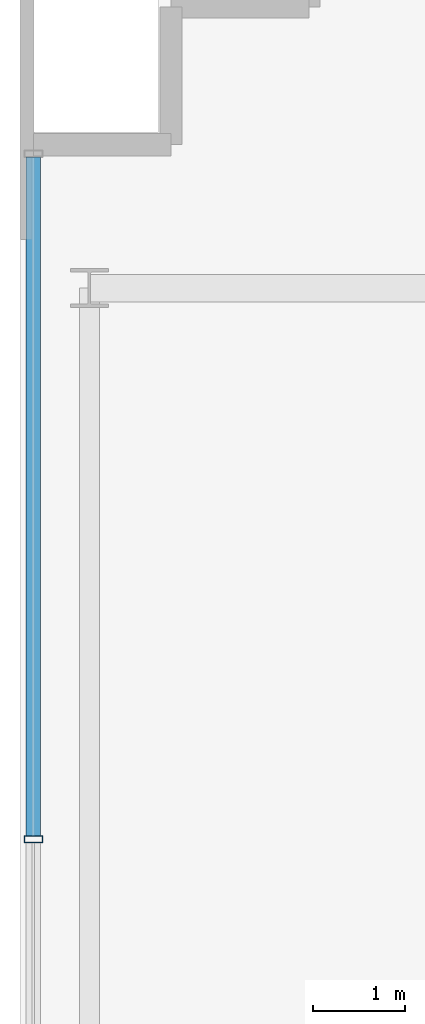
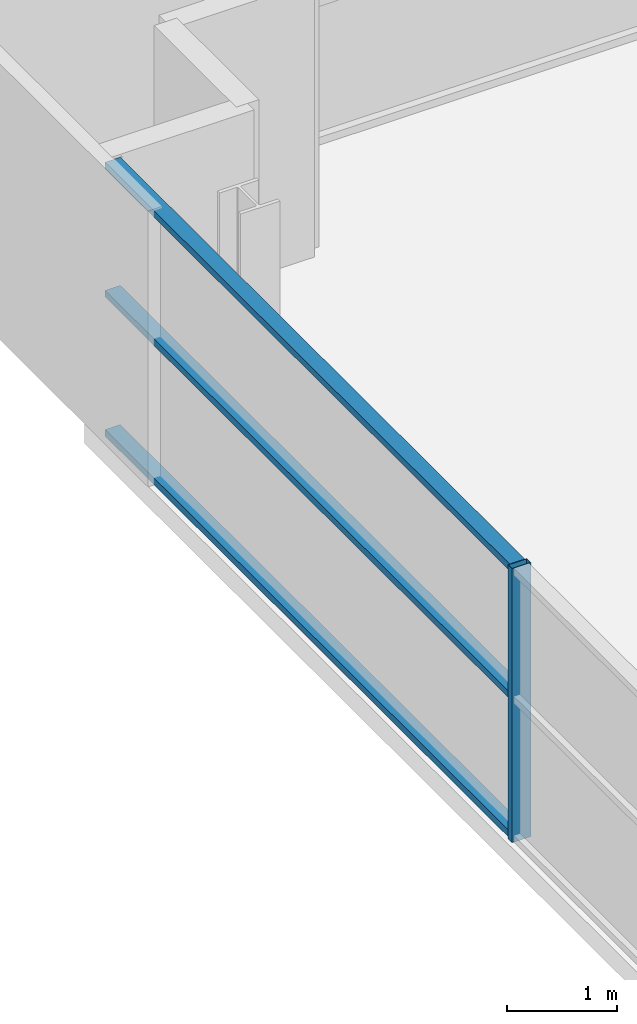
# One storey, part 10 of 29: 4 members, 1 element without a shape of its own.
"""IFC4 building model written with IfcOpenShell, lengths in metres."""

from ifc_helpers import new_model, si_unit, direction, frame, origin, origin_2d, place, context, subcontext, project, spatial, hollow_rectangle, extrude, source, transform, mapped, material, layer, layer_set, material_profile, profile_set, type_object, element, aggregate, save


model = new_model("IFC4")

# Units and contexts
model_context = context("Model", 3, precision=1e-05, world=origin(), true_north=direction((0.0, 1.0)))
body_context = subcontext(model_context, "Body", "Model", "MODEL_VIEW")
ifc_project = project(units=[si_unit("LENGTHUNIT", "METRE"), si_unit("AREAUNIT", "SQUARE_METRE"), si_unit("VOLUMEUNIT", "CUBIC_METRE"), si_unit("PLANEANGLEUNIT", "RADIAN"), si_unit("MASSUNIT", "GRAM", prefix="KILO")], contexts=[model_context])

# Site, building, storey
site_placement = place(None, origin())
site = spatial("IfcSite", under=ifc_project, at=site_placement, CompositionType="ELEMENT")
building_placement = place(site_placement, origin())
building = spatial("IfcBuilding", under=site, at=building_placement, Name="Zarnakvel Exchange Tower", CompositionType="ELEMENT")
storey_placement = place(building_placement, frame((0.0, 0.0, 37.300048828125)))
storey = spatial("IfcBuildingStorey", under=building, at=storey_placement, Name="L09", CompositionType="ELEMENT", Elevation=37.300048828125)

# Curtain wall, members
ifc_material = material(Name="Architectural Bronze Anodised Aluminium", Category="aluminium")
ifc_layer = layer(ifc_material, 0.199951171875)
ifc_layer_set = layer_set([ifc_layer], Name="Architectural Bronze Anodised Aluminium")
curtain_wall_type = type_object("IfcCurtainWallType", Name="CW-04", PredefinedType="NOTDEFINED", material=ifc_layer_set)
curtain_wall_placement = place(storey_placement, origin())
curtain_wall = element("IfcCurtainWall", 1, at=curtain_wall_placement, inside=storey, type_object=curtain_wall_type, Name="L09 Curtain Wall CW-L09-W1 (CW-04)", PredefinedType="NOTDEFINED")
ifc_material_profile_1 = material_profile(ifc_material, hollow_rectangle(XDim=0.159912109375, YDim=0.074951171875, WallThickness=0.00390625, at=origin_2d()))
ifc_profile_set_1 = profile_set([ifc_material_profile_1], Name="Architectural Bronze Anodised Aluminium")
member_type_1 = type_object("IfcMemberType", Name="CWT-04", PredefinedType="USERDEFINED", material=ifc_profile_set_1)
shared_shape_1 = source(origin(), body_context, "Body", "SweptSolid", [
    extrude(hollow_rectangle(XDim=0.159912109375, YDim=0.074951171875, WallThickness=0.00390625, at=origin_2d()), origin(), (0.0, 0.0, 1.0), 7.387451171875),
])
member_1_placement = place(storey_placement, frame((-32.4599609375, 7.53759765625, 0.037353515625), z_axis=(0.0, 1.0, 0.0), x_axis=(-1.0, 0.0, 0.0)))
member_1 = element("IfcMember", 2, at=member_1_placement, type_object=member_type_1, Name="CW-04 transom 4.1", ObjectType="TRANSOM", PredefinedType="USERDEFINED", context=body_context, shape_type="MappedRepresentation", body=[
    mapped(shared_shape_1, transform((0.0, 0.0, 0.0), x_axis=(1.0, 0.0, 0.0), y_axis=(0.0, 1.0, 0.0), z_axis=(0.0, 0.0, 1.0), scale=1.0)),
])
member_2_placement = place(storey_placement, frame((-32.4599609375, 7.53759765625, 1.588623046875), z_axis=(0.0, 1.0, 0.0), x_axis=(-1.0, 0.0, 0.0)))
member_2 = element("IfcMember", 3, at=member_2_placement, type_object=member_type_1, Name="CW-04 transom 4.2", ObjectType="TRANSOM", PredefinedType="USERDEFINED", context=body_context, shape_type="MappedRepresentation", body=[
    mapped(shared_shape_1, transform((0.0, 0.0, 0.0), x_axis=(1.0, 0.0, 0.0), y_axis=(0.0, 1.0, 0.0), z_axis=(0.0, 0.0, 1.0), scale=1.0)),
])
member_3_placement = place(storey_placement, frame((-32.4599609375, 7.53759765625, 3.017333984375), z_axis=(0.0, 1.0, 0.0), x_axis=(-1.0, 0.0, 0.0)))
member_3 = element("IfcMember", 4, at=member_3_placement, type_object=member_type_1, Name="CW-04 transom 4.3", ObjectType="TRANSOM", PredefinedType="USERDEFINED", context=body_context, shape_type="MappedRepresentation", body=[
    mapped(shared_shape_1, transform((0.0, 0.0, 0.0), x_axis=(1.0, 0.0, 0.0), y_axis=(0.0, 1.0, 0.0), z_axis=(0.0, 0.0, 1.0), scale=1.0)),
])
ifc_material_profile_2 = material_profile(ifc_material, hollow_rectangle(XDim=0.199951171875, YDim=0.074951171875, WallThickness=0.0048828125, at=origin_2d()))
ifc_profile_set_2 = profile_set([ifc_material_profile_2], Name="Architectural Bronze Anodised Aluminium")
member_type_2 = type_object("IfcMemberType", Name="CWM-04", PredefinedType="MULLION", material=ifc_profile_set_2)
shared_shape_2 = source(origin(), body_context, "Body", "SweptSolid", [
    extrude(hollow_rectangle(XDim=0.199951171875, YDim=0.074951171875, WallThickness=0.0048828125, at=origin_2d()), origin(), (0.0, 0.0, 1.0), 3.054931640625),
])
member_4_placement = place(storey_placement, frame((-32.4599609375, 7.5, 0.0), z_axis=(0.0, 0.0, 1.0), x_axis=(-1.0, 0.0, 0.0)))
member_4 = element("IfcMember", 5, at=member_4_placement, type_object=member_type_2, Name="CW-04 mullion 4", PredefinedType="MULLION", context=body_context, shape_type="MappedRepresentation", body=[
    mapped(shared_shape_2, transform((0.0, 0.0, 0.0), x_axis=(1.0, 0.0, 0.0), y_axis=(0.0, 1.0, 0.0), z_axis=(0.0, 0.0, 1.0), scale=1.0)),
])
aggregate(curtain_wall, [member_4, member_1, member_2, member_3])

save(model, "model.ifc")
